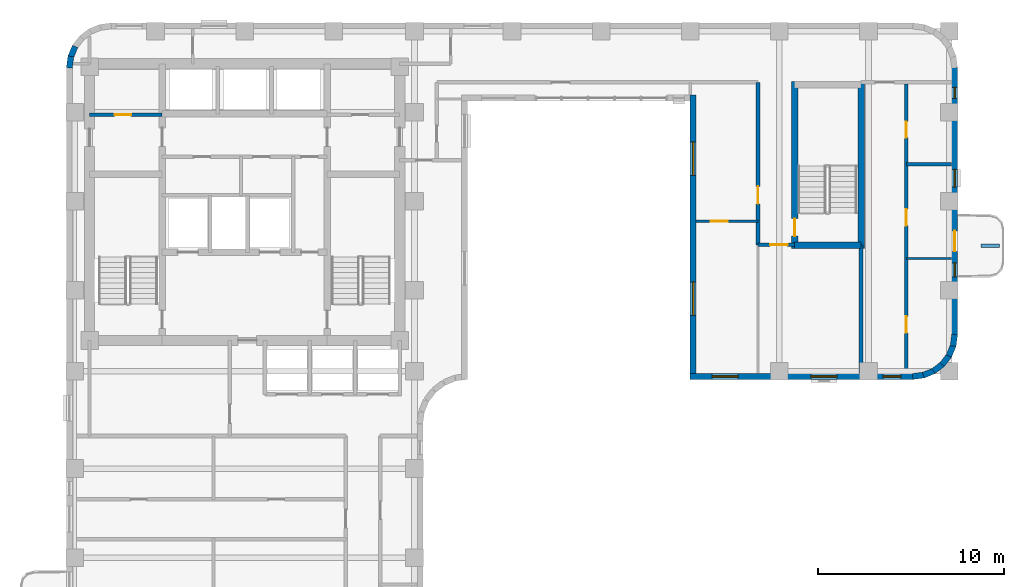
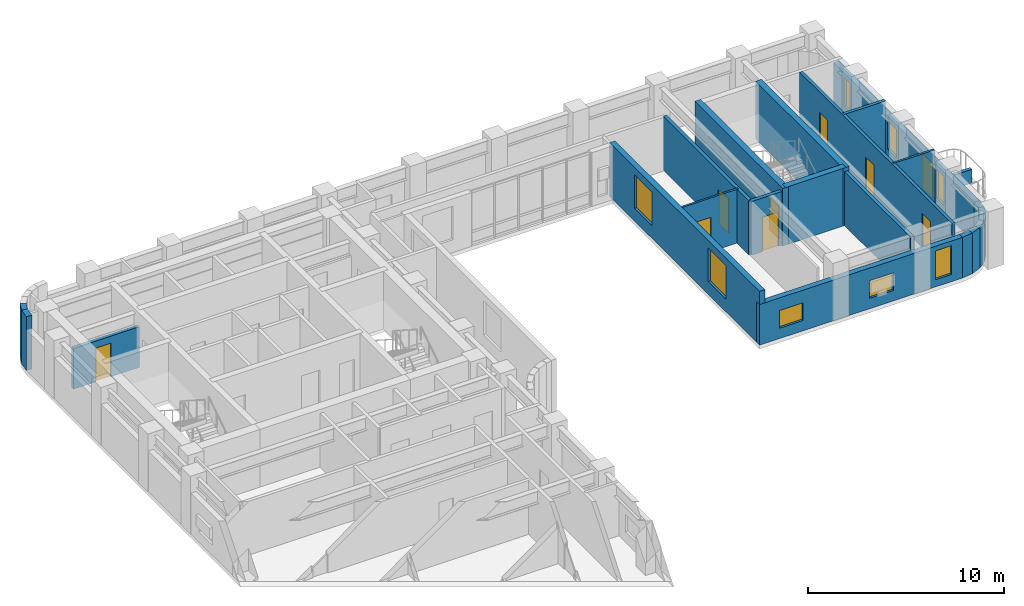
# One storey, part 6 of 11: 23 walls, 9 doors, 8 windows, 17 openings.
"""IFC4 building model written with IfcOpenShell, lengths in metres."""

import ifcopenshell
import ifcopenshell.guid

model = None  # the IFC model being written
_history = None  # IfcOwnerHistory: only IFC2X3 demands one
_inside = {}  # id of a spatial element -> (the spatial element, [elements in it])
_under = {}  # id of a project, library or spatial element -> (it, [spatial elements below it])
_declared = {}  # id of a project -> (the project, [libraries it declares])
_typed = {}  # id of a type object -> (the type object, [elements of that type])
_made_of = {}  # id of a material, layer set ... -> (it, [elements and type objects made of it])


def new_model(schema):
    """Start an empty IFC model of exactly this schema.

    Asked for "IFC4X3", IfcOpenShell would pick the latest addendum, in which some entities
    have other attributes; the version numbers below select the first issue.
    IFC2X3 requires an IfcOwnerHistory on every rooted entity: one is made here for all.
    """
    global model, _history
    if schema == "IFC4X3":
        model = ifcopenshell.file(schema_version=(4, 3, 0, 0))
    else:
        model = ifcopenshell.file(schema=schema)
    _inside.clear()
    _under.clear()
    _declared.clear()
    _typed.clear()
    _made_of.clear()
    _history = None
    if model.schema == "IFC2X3":
        org = make("IfcOrganization", Name="unknown")
        user = make(
            "IfcPersonAndOrganization",
            ThePerson=make("IfcPerson", FamilyName="unknown"),
            TheOrganization=org,
        )
        app = make(
            "IfcApplication",
            ApplicationDeveloper=org,
            Version="unknown",
            ApplicationFullName="unknown",
            ApplicationIdentifier="unknown",
        )
        _history = make(
            "IfcOwnerHistory",
            OwningUser=user,
            OwningApplication=app,
            ChangeAction="ADDED",
            CreationDate=0,
        )
    return model


def make(cls, **values):
    """One entity of the class cls with the attributes given. An attribute that is None is left unset."""
    return model.create_entity(
        cls, **{name: value for name, value in values.items() if value is not None}
    )


def rooted(cls, **values):
    """An entity with a GlobalId (a new one), such as an element, a storey or a relation."""
    return make(cls, GlobalId=ifcopenshell.guid.new(), OwnerHistory=_history, **values)


def si_unit(unit_type, name, prefix=None):
    """IfcSIUnit, for example si_unit("LENGTHUNIT", "METRE", prefix="MILLI")."""
    return make("IfcSIUnit", UnitType=unit_type, Prefix=prefix, Name=name)


def assignment(units):
    """IfcUnitAssignment: the units of a project."""
    return None if units is None else make("IfcUnitAssignment", Units=units)


def point(xyz):
    """IfcCartesianPoint."""
    return None if xyz is None else make("IfcCartesianPoint", Coordinates=xyz)


def direction(xyz):
    """IfcDirection."""
    return None if xyz is None else make("IfcDirection", DirectionRatios=xyz)


def frame(location, z_axis=None, x_axis=None):
    """IfcAxis2Placement3D, a coordinate frame: its origin and axes. An axis left out is left unset."""
    return make(
        "IfcAxis2Placement3D",
        Location=point(location),
        Axis=direction(z_axis),
        RefDirection=direction(x_axis),
    )


def frame_2d(location, x_axis=None):
    """IfcAxis2Placement2D, a coordinate frame in the plane: its origin and x axis."""
    return make(
        "IfcAxis2Placement2D", Location=point(location), RefDirection=direction(x_axis)
    )


def origin():
    """The frame at (0, 0, 0) with its axes left unset."""
    return frame((0.0, 0.0, 0.0))


def place(relative_to, where):
    """IfcLocalPlacement: puts the frame where relative to a parent placement (None: the world)."""
    return make(
        "IfcLocalPlacement", PlacementRelTo=relative_to, RelativePlacement=where
    )


def context(
    kind, dimensions, precision=None, world=None, true_north=None, identifier=None
):
    """IfcGeometricRepresentationContext, for example the 3D "Model" context."""
    return make(
        "IfcGeometricRepresentationContext",
        ContextIdentifier=identifier,
        ContextType=kind,
        CoordinateSpaceDimension=dimensions,
        Precision=precision,
        WorldCoordinateSystem=world,
        TrueNorth=true_north,
    )


def subcontext(parent, identifier, kind, view, scale=None):
    """IfcGeometricRepresentationSubContext, for example "Body" below "Model"."""
    return make(
        "IfcGeometricRepresentationSubContext",
        ContextIdentifier=identifier,
        ContextType=kind,
        ParentContext=parent,
        TargetScale=scale,
        TargetView=view,
    )


def project(units=None, contexts=None):
    """IfcProject with its units and contexts."""
    return rooted(
        "IfcProject",
        Name="project",
        RepresentationContexts=contexts,
        UnitsInContext=assignment(units),
    )


def spatial(cls, under=None, at=None, **own):
    """A site, building, storey or space (cls), placed at a placement, below another one or the project."""
    s = rooted(cls, ObjectPlacement=at, **own)
    if under is not None:
        _under.setdefault(under.id(), (under, []))[1].append(s)
    return s


def profile(cls, at=None, kind="AREA", **sizes):
    """A parametric profile (cls). Its sizes go by their IFC names, for example OverallWidth=200.0."""
    return make(cls, ProfileType=kind, Position=at, **sizes)


def rectangle(**sizes):
    """IfcRectangleProfileDef."""
    return profile("IfcRectangleProfileDef", **sizes)


def extrude(swept, where, along, depth):
    """IfcExtrudedAreaSolid: the profile swept, set in the frame where, extruded along a direction by depth."""
    return make(
        "IfcExtrudedAreaSolid",
        SweptArea=swept,
        Position=where,
        ExtrudedDirection=direction(along),
        Depth=depth,
    )


def shape(context_of_items, identifier, shape_type, items):
    """IfcShapeRepresentation: the items that make up one representation, for example the "Body"."""
    return make(
        "IfcShapeRepresentation",
        ContextOfItems=context_of_items,
        RepresentationIdentifier=identifier,
        RepresentationType=shape_type,
        Items=items,
    )


def material(Name=None, Category=None):
    """IfcMaterial."""
    return make("IfcMaterial", Name=Name, Category=Category)


def layer(
    of_material, thickness, ventilated=None, Name=None, Category=None, Priority=None
):
    """IfcMaterialLayer: one layer of a wall or slab, of a material (None: an air gap)."""
    return make(
        "IfcMaterialLayer",
        Material=of_material,
        LayerThickness=thickness,
        IsVentilated=ventilated,
        Name=Name,
        Category=Category,
        Priority=Priority,
    )


def layer_set(layers, Name=None):
    """IfcMaterialLayerSet."""
    return make("IfcMaterialLayerSet", MaterialLayers=layers, LayerSetName=Name)


def made_of(thing, what):
    """Note that an element or type object is made of a material, layer set ...; save() writes the relation."""
    if what is not None:
        _made_of.setdefault(what.id(), (what, []))[1].append(thing)
    return thing


def type_object(cls, material=None, **own):
    """A type object (cls), such as IfcWallType, which elements share."""
    return made_of(rooted(cls, **own), material)


def element(
    cls,
    number,
    at=None,
    inside=None,
    cuts=None,
    type_object=None,
    material=None,
    context=None,
    identifier="Body",
    shape_type=None,
    held_by="IfcProductDefinitionShape",
    body=None,
    shapes=None,
    **own,
):
    """One element of the class cls, such as IfcWall. Its Tag is "e" and its number.

    at: its placement. inside: the storey or other place that contains it. cuts: it is an
    opening in that element (IfcRelVoidsElement). A single representation is given by context,
    identifier, shape_type and body (its items); several are given by shapes. held_by: the class
    of the entity that holds the representations. save() writes the other relations.
    """
    e = rooted(cls, Tag="e%d" % number, ObjectPlacement=at, **own)
    if body is not None:
        shapes = [shape(context, identifier, shape_type, body)]
    if shapes is not None:
        e.Representation = make(held_by, Representations=shapes)
    if inside is not None:
        _inside.setdefault(inside.id(), (inside, []))[1].append(e)
    if cuts is not None:
        rooted(
            "IfcRelVoidsElement", RelatingBuildingElement=cuts, RelatedOpeningElement=e
        )
    if type_object is not None:
        _typed.setdefault(type_object.id(), (type_object, []))[1].append(e)
    return made_of(e, material)


def fill(opening, filler):
    """IfcRelFillsElement: the door or window that sits in an opening."""
    return rooted(
        "IfcRelFillsElement",
        RelatingOpeningElement=opening,
        RelatedBuildingElement=filler,
    )


def aggregate(whole, parts):
    """IfcRelAggregates: a whole, such as a stair, and the parts it consists of."""
    return rooted("IfcRelAggregates", RelatingObject=whole, RelatedObjects=parts)


def save(model, path):
    """Write the relations noted so far, then the file.

    IfcRelAggregates (storeys below a building ...), IfcRelContainedInSpatialStructure (elements
    in a storey), IfcRelDefinesByType, IfcRelAssociatesMaterial and IfcRelDeclares: one each for
    every whole, place, type object, material and project.
    """
    for whole, parts in _under.values():
        aggregate(whole, parts)
    for where, things in _inside.values():
        rooted(
            "IfcRelContainedInSpatialStructure",
            RelatedElements=things,
            RelatingStructure=where,
        )
    for kind, things in _typed.values():
        rooted("IfcRelDefinesByType", RelatedObjects=things, RelatingType=kind)
    for what, things in _made_of.values():
        rooted("IfcRelAssociatesMaterial", RelatedObjects=things, RelatingMaterial=what)
    for by, libraries in _declared.values():
        rooted("IfcRelDeclares", RelatingContext=by, RelatedDefinitions=libraries)
    model.write(path)


model = new_model("IFC4")

# Units and contexts
model_context = context("Model", 3, precision=1e-05, world=origin(), true_north=direction((0.0, 1.0)))
body_context = subcontext(model_context, "Body", "Model", "MODEL_VIEW")
ifc_project = project(units=[si_unit("LENGTHUNIT", "METRE"), si_unit("AREAUNIT", "SQUARE_METRE"), si_unit("VOLUMEUNIT", "CUBIC_METRE"), si_unit("PLANEANGLEUNIT", "RADIAN"), si_unit("MASSUNIT", "GRAM", prefix="KILO")], contexts=[model_context])

# Site, building, storey
site_placement = place(None, origin())
site = spatial("IfcSite", under=ifc_project, at=site_placement, CompositionType="ELEMENT")
building_placement = place(site_placement, origin())
building = spatial("IfcBuilding", under=site, at=building_placement, Name="Orvandelia Arch Residences", CompositionType="ELEMENT")
storey_placement = place(building_placement, frame((0.0, 0.0, 161.199951171875)))
storey = spatial("IfcBuildingStorey", under=building, at=storey_placement, Name="L42", CompositionType="ELEMENT", Elevation=161.199951171875)

# Wall, opening, door
ifc_material_1 = material(Name="Concrete C50/60", Category="concrete")
ifc_layer_1 = layer(ifc_material_1, 0.35009765625, Name="Concrete C50/60", Category="concrete")
ifc_layer_set_1 = layer_set([ifc_layer_1], Name="Concrete C50/60")
wall_type_1 = type_object("IfcWallType", Name="WL-CORE-350", PredefinedType="SHEAR", material=ifc_layer_set_1)
wall_1_placement = place(storey_placement, frame((44.02001953125, 35.864990234375, 0.0), z_axis=(0.0, 0.0, 1.0), x_axis=(0.0, 1.0, 0.0)))
wall_1 = element("IfcWall", 1, at=wall_1_placement, inside=storey, type_object=wall_type_1, Name="East Stair Core Shear Wall L42-W", PredefinedType="SHEAR", context=body_context, shape_type="SweptSolid", body=[
    extrude(rectangle(XDim=8.969970703125, YDim=0.35009765625, at=frame_2d((4.48486328125, 0.0))), origin(), (0.0, 0.0, 1.0), 3.60009765625),
])
opening_1_placement = place(wall_1_placement, frame((0.64990234375, 0.0, 0.0)))
opening_1 = element("IfcOpeningElement", 2, at=opening_1_placement, cuts=wall_1, Name="Opening D7", PredefinedType="OPENING", context=body_context, shape_type="SweptSolid", body=[
    extrude(rectangle(XDim=0.949951171875, YDim=2.10009765625, at=frame_2d((0.47509765625, 1.050048828125))), frame((0.0, 0.18505859375, 0.0), z_axis=(0.0, -1.0, 0.0), x_axis=(1.0, 0.0, 0.0)), (0.0, 0.0, 1.0), 0.3701171875),
])
ifc_material_2 = material(Name="Pressurised Stairwell Fire Door")
door_type_1 = type_object("IfcDoorType", Name="DR-STAIR-950", OperationType="NOTDEFINED", PredefinedType="DOOR", material=ifc_material_2)
door_1_placement = place(opening_1_placement, origin())
door_1 = element("IfcDoor", 3, at=door_1_placement, inside=storey, type_object=door_type_1, Name="East Stairwell ST-3 Fire Door L42", OperationType="SINGLE_SWING_LEFT", OverallHeight=2.10009765625, OverallWidth=0.949951171875, PredefinedType="DOOR", context=body_context, shape_type="SweptSolid", body=[
    extrude(rectangle(XDim=0.949951171875, YDim=2.10009765625, at=frame_2d((0.47509765625, 1.050048828125))), frame((0.0, 0.02490234375, 0.0), z_axis=(0.0, -1.0, 0.0), x_axis=(1.0, 0.0, 0.0)), (0.0, 0.0, 1.0), 0.050048828125),
])
fill(opening_1, door_1)

# Walls
wall_2_placement = place(storey_placement, frame((47.60009765625, 35.864990234375, 0.0), z_axis=(0.0, 0.0, 1.0), x_axis=(0.0, 1.0, 0.0)))
element("IfcWall", 4, at=wall_2_placement, inside=storey, type_object=wall_type_1, Name="East Stair Core Shear Wall L42-E", PredefinedType="SHEAR", context=body_context, shape_type="SweptSolid", body=[
    extrude(rectangle(XDim=8.969970703125, YDim=0.35009765625, at=frame_2d((4.48486328125, 0.0))), origin(), (0.0, 0.0, 1.0), 3.60009765625),
])
wall_3_placement = place(storey_placement, frame((44.02001953125, 36.0400390625, 0.0), z_axis=(0.0, 0.0, 1.0), x_axis=(1.0, 0.0, 0.0)))
element("IfcWall", 5, at=wall_3_placement, inside=storey, type_object=wall_type_1, Name="East Stair Core Shear Wall L42-S", PredefinedType="SHEAR", context=body_context, shape_type="SweptSolid", body=[
    extrude(rectangle(XDim=3.580078125, YDim=0.35009765625, at=frame_2d((1.7900390625, 0.0))), origin(), (0.0, 0.0, 1.0), 3.60009765625),
])

# Wall, opening, door
ifc_material_3 = material(Name="Fire-Rated Corridor Partition")
ifc_layer_2 = layer(ifc_material_3, 0.199951171875, Name="Fire-Rated Corridor Partition")
ifc_layer_set_2 = layer_set([ifc_layer_2], Name="Fire-Rated Corridor Partition")
wall_type_2 = type_object("IfcWallType", Name="WL-CORR-200", PredefinedType="PARTITIONING", material=ifc_layer_set_2)
wall_4_placement = place(storey_placement, frame((42.050048828125, 36.050048828125, 0.0), z_axis=(0.0, 0.0, 1.0), x_axis=(0.0, 1.0, 0.0)))
wall_4 = element("IfcWall", 6, at=wall_4_placement, inside=storey, type_object=wall_type_2, Name="Interior Partition Wall WL-L42-ENP-SW", PredefinedType="PARTITIONING", context=body_context, shape_type="SweptSolid", body=[
    extrude(rectangle(XDim=8.75, YDim=0.199951171875, at=frame_2d((4.375, 0.0))), origin(), (0.0, 0.0, 1.0), 3.360107421875),
])
opening_2_placement = place(wall_4_placement, frame((2.199951171875, 0.0, 0.0)))
opening_2 = element("IfcOpeningElement", 7, at=opening_2_placement, cuts=wall_4, Name="Opening D2", PredefinedType="OPENING", context=body_context, shape_type="SweptSolid", body=[
    extrude(rectangle(XDim=0.949951171875, YDim=2.14990234375, at=frame_2d((0.47509765625, 1.074951171875))), frame((0.0, 0.10986328125, 0.0), z_axis=(0.0, -1.0, 0.0), x_axis=(1.0, 0.0, 0.0)), (0.0, 0.0, 1.0), 0.219970703125),
])
ifc_material_4 = material(Name="Solid-Core Timber Interior Fire Door", Category="wood")
door_type_2 = type_object("IfcDoorType", Name="DR-APT-950", OperationType="NOTDEFINED", PredefinedType="DOOR", material=ifc_material_4)
door_2_placement = place(opening_2_placement, origin())
door_2 = element("IfcDoor", 8, at=door_2_placement, inside=storey, type_object=door_type_2, Name="DR-L42-VPE1", OperationType="SINGLE_SWING_LEFT", OverallHeight=2.14990234375, OverallWidth=0.949951171875, PredefinedType="DOOR", context=body_context, shape_type="SweptSolid", body=[
    extrude(rectangle(XDim=0.949951171875, YDim=2.14990234375, at=frame_2d((0.47509765625, 1.074951171875))), frame((0.0, 0.02490234375, 0.0), z_axis=(0.0, -1.0, 0.0), x_axis=(1.0, 0.0, 0.0)), (0.0, 0.0, 1.0), 0.050048828125),
])
fill(opening_2, door_2)

wall_5_placement = place(storey_placement, frame((42.050048828125, 36.050048828125, 0.0), z_axis=(0.0, 0.0, 1.0), x_axis=(1.0, 0.0, 0.0)))
wall_5 = element("IfcWall", 9, at=wall_5_placement, inside=storey, type_object=wall_type_2, Name="Interior Partition Wall WL-L42-ENP-SS", PredefinedType="PARTITIONING", context=body_context, shape_type="SweptSolid", body=[
    extrude(rectangle(XDim=1.969970703125, YDim=0.199951171875, at=frame_2d((0.98486328125, 0.0))), origin(), (0.0, 0.0, 1.0), 3.360107421875),
])
opening_3_placement = place(wall_5_placement, frame((0.64990234375, 0.0, 0.0)))
opening_3 = element("IfcOpeningElement", 10, at=opening_3_placement, cuts=wall_5, Name="Opening D2", PredefinedType="OPENING", context=body_context, shape_type="SweptSolid", body=[
    extrude(rectangle(XDim=0.949951171875, YDim=2.14990234375, at=frame_2d((0.47509765625, 1.074951171875))), frame((0.0, 0.10986328125, 0.0), z_axis=(0.0, -1.0, 0.0), x_axis=(1.0, 0.0, 0.0)), (0.0, 0.0, 1.0), 0.219970703125),
])
door_3_placement = place(opening_3_placement, origin())
door_3 = element("IfcDoor", 11, at=door_3_placement, inside=storey, type_object=door_type_2, Name="DR-L42-VPS3", OperationType="SINGLE_SWING_LEFT", OverallHeight=2.14990234375, OverallWidth=0.949951171875, PredefinedType="DOOR", context=body_context, shape_type="SweptSolid", body=[
    extrude(rectangle(XDim=0.949951171875, YDim=2.14990234375, at=frame_2d((0.47509765625, 1.074951171875))), frame((0.0, 0.02490234375, 0.0), z_axis=(0.0, -1.0, 0.0), x_axis=(1.0, 0.0, 0.0)), (0.0, 0.0, 1.0), 0.050048828125),
])
fill(opening_3, door_3)

# Walls
ifc_material_5 = material(Name="Concrete C40/50", Category="concrete")
ifc_layer_3 = layer(ifc_material_5, 0.199951171875, Name="Concrete C40/50", Category="concrete")
ifc_layer_set_3 = layer_set([ifc_layer_3], Name="Concrete C40/50")
wall_type_3 = type_object("IfcWallType", Name="WL-DEM-200", PredefinedType="SOLIDWALL", material=ifc_layer_set_3)
wall_6_placement = place(storey_placement, frame((47.60009765625, 29.1201171875, 0.0), z_axis=(0.0, 0.0, 1.0), x_axis=(0.0, 1.0, 0.0)))
element("IfcWall", 12, at=wall_6_placement, inside=storey, type_object=wall_type_3, Name="Interior Partition Wall WL-L42-VPS3-E", PredefinedType="SOLIDWALL", context=body_context, shape_type="SweptSolid", body=[
    extrude(rectangle(XDim=6.919921875, YDim=0.199951171875, at=frame_2d((3.4599609375, 0.0))), origin(), (0.0, 0.0, 1.0), 3.360107421875),
])
ifc_material_6 = material(Name="Precast concrete C40/50", Category="concrete")
ifc_layer_4 = layer(ifc_material_6, 0.320068359375, Name="Precast concrete C40/50", Category="concrete")
ifc_layer_set_4 = layer_set([ifc_layer_4], Name="Precast concrete C40/50")
wall_type_4 = type_object("IfcWallType", Name="WL-EXT-STONE-320", PredefinedType="STANDARD", material=ifc_layer_set_4)
for number, where, z_axis, x_axis, name in (
    (13, (4.95849609375, 45.5791015625, 0.0), (0.0, 0.0, 1.0), (0.130555323746, 0.9914410257, 0.0), "Coral-Limestone Precast Facade Wall L42-001"),
    (14, (5.029541015625, 46.159912109375, 0.0), (0.0, 0.0, 1.0), (0.382650053678, 0.92389335771, 0.0), "Coral-Limestone Precast Facade Wall L42-002"),
):
    element("IfcWall", number, at=place(storey_placement, frame(where, z_axis=z_axis, x_axis=x_axis)), inside=storey, type_object=wall_type_4, Name=name, PredefinedType="STANDARD", context=body_context, shape_type="SweptSolid", body=[
        extrude(rectangle(XDim=0.62646484375, YDim=0.320068359375, at=frame_2d((0.313232421875, 0.0))), origin(), (0.0, 0.0, 1.0), 3.360107421875),
    ])

# Wall, openings, door, windows
wall_7_placement = place(storey_placement, frame((52.639892578125, 45.60009765625, 0.0), z_axis=(0.0, 0.0, 1.0), x_axis=(0.0, -1.0, 0.0)))
wall_7 = element("IfcWall", 15, at=wall_7_placement, inside=storey, type_object=wall_type_4, Name="Coral-Limestone Precast Facade Wall L42-014", PredefinedType="STANDARD", context=body_context, shape_type="SweptSolid", body=[
    extrude(rectangle(XDim=14.400146484375, YDim=0.320068359375, at=frame_2d((7.2001953125, 0.0))), origin(), (0.0, 0.0, 1.0), 2.5400390625),
])
opening_4_placement = place(wall_7_placement, frame((8.800048828125, 0.0, 0.0)))
opening_4 = element("IfcOpeningElement", 16, at=opening_4_placement, cuts=wall_7, Name="Opening BD1", PredefinedType="OPENING", context=body_context, shape_type="SweptSolid", body=[
    extrude(rectangle(XDim=1.10009765625, YDim=2.14990234375, at=frame_2d((0.550048828125, 1.074951171875))), frame((0.0, 0.169921875, 0.0), z_axis=(0.0, -1.0, 0.0), x_axis=(1.0, 0.0, 0.0)), (0.0, 0.0, 1.0), 0.340087890625),
])
opening_5_placement = place(wall_7_placement, frame((10.51953125, 0.0, 0.449951171875)))
opening_5 = element("IfcOpeningElement", 17, at=opening_5_placement, cuts=wall_7, Name="Opening W11", PredefinedType="OPENING", context=body_context, shape_type="SweptSolid", body=[
    extrude(rectangle(XDim=0.75, YDim=1.800048828125, at=frame_2d((0.375, 0.89990234375))), frame((0.0, 0.169921875, 0.0), z_axis=(0.0, -1.0, 0.0), x_axis=(1.0, 0.0, 0.0)), (0.0, 0.0, 1.0), 0.340087890625),
])
opening_6_placement = place(wall_7_placement, frame((1.0625, 0.0, 0.449951171875)))
opening_6 = element("IfcOpeningElement", 18, at=opening_6_placement, cuts=wall_7, Name="Opening W12", PredefinedType="OPENING", context=body_context, shape_type="SweptSolid", body=[
    extrude(rectangle(XDim=0.60009765625, YDim=1.800048828125, at=frame_2d((0.300048828125, 0.89990234375))), frame((0.0, 0.169921875, 0.0), z_axis=(0.0, -1.0, 0.0), x_axis=(1.0, 0.0, 0.0)), (0.0, 0.0, 1.0), 0.340087890625),
])
opening_7_placement = place(wall_7_placement, frame((5.486083984375, 0.0, 0.449951171875)))
opening_7 = element("IfcOpeningElement", 19, at=opening_7_placement, cuts=wall_7, Name="Opening W4", PredefinedType="OPENING", context=body_context, shape_type="SweptSolid", body=[
    extrude(rectangle(XDim=0.949951171875, YDim=1.800048828125, at=frame_2d((0.47509765625, 0.89990234375))), frame((0.0, 0.169921875, 0.0), z_axis=(0.0, -1.0, 0.0), x_axis=(1.0, 0.0, 0.0)), (0.0, 0.0, 1.0), 0.340087890625),
])
ifc_material_7 = material(Name="Thermally Broken Aluminium Glazed Door", Category="aluminium")
door_type_3 = type_object("IfcDoorType", Name="DR-BAL-GLAZ-1100", OperationType="NOTDEFINED", PredefinedType="DOOR", material=ifc_material_7)
door_4_placement = place(opening_4_placement, origin())
door_4 = element("IfcDoor", 20, at=door_4_placement, inside=storey, type_object=door_type_3, Name="Tree Balcony Glazed Door BAL-L42-E1", OperationType="SINGLE_SWING_LEFT", OverallHeight=2.14990234375, OverallWidth=1.10009765625, PredefinedType="DOOR", context=body_context, shape_type="SweptSolid", body=[
    extrude(rectangle(XDim=1.10009765625, YDim=2.14990234375, at=frame_2d((0.550048828125, 1.074951171875))), frame((0.0, 0.02490234375, 0.0), z_axis=(0.0, -1.0, 0.0), x_axis=(1.0, 0.0, 0.0)), (0.0, 0.0, 1.0), 0.050048828125),
])
fill(opening_4, door_4)
ifc_material_8 = material(Name="Tempered Low-E Insulated Glazing", Category="glass")
window_type_1 = type_object("IfcWindowType", Name="WIN-BED-0750x1800", PartitioningType="SINGLE_PANEL", PredefinedType="WINDOW", material=ifc_material_8)
window_1_placement = place(opening_5_placement, origin())
window_1 = element("IfcWindow", 21, at=window_1_placement, inside=storey, type_object=window_type_1, Name="Recessed Punched Window L42-004", OverallHeight=1.800048828125, OverallWidth=0.75, PartitioningType="SINGLE_PANEL", PredefinedType="WINDOW", context=body_context, shape_type="SweptSolid", body=[
    extrude(rectangle(XDim=0.75, YDim=1.800048828125, at=frame_2d((0.375, 0.89990234375))), frame((0.0, 0.030029296875, 0.0), z_axis=(0.0, -1.0, 0.0), x_axis=(1.0, 0.0, 0.0)), (0.0, 0.0, 1.0), 0.06005859375),
])
fill(opening_5, window_1)
window_type_2 = type_object("IfcWindowType", Name="WIN-LAN-0600x1800", PartitioningType="SINGLE_PANEL", PredefinedType="WINDOW", material=ifc_material_8)
window_2_placement = place(opening_6_placement, origin())
window_2 = element("IfcWindow", 22, at=window_2_placement, inside=storey, type_object=window_type_2, Name="Recessed Punched Window L42-005", OverallHeight=1.800048828125, OverallWidth=0.60009765625, PartitioningType="SINGLE_PANEL", PredefinedType="WINDOW", context=body_context, shape_type="SweptSolid", body=[
    extrude(rectangle(XDim=0.60009765625, YDim=1.800048828125, at=frame_2d((0.300048828125, 0.89990234375))), frame((0.0, 0.030029296875, 0.0), z_axis=(0.0, -1.0, 0.0), x_axis=(1.0, 0.0, 0.0)), (0.0, 0.0, 1.0), 0.06005859375),
])
fill(opening_6, window_2)
window_type_3 = type_object("IfcWindowType", Name="WIN-RES-0950x1800", PartitioningType="SINGLE_PANEL", PredefinedType="WINDOW", material=ifc_material_8)
window_3_placement = place(opening_7_placement, origin())
window_3 = element("IfcWindow", 23, at=window_3_placement, inside=storey, type_object=window_type_3, Name="Recessed Punched Window L42-006", OverallHeight=1.800048828125, OverallWidth=0.949951171875, PartitioningType="SINGLE_PANEL", PredefinedType="WINDOW", context=body_context, shape_type="SweptSolid", body=[
    extrude(rectangle(XDim=0.949951171875, YDim=1.800048828125, at=frame_2d((0.47509765625, 0.89990234375))), frame((0.0, 0.030029296875, 0.0), z_axis=(0.0, -1.0, 0.0), x_axis=(1.0, 0.0, 0.0)), (0.0, 0.0, 1.0), 0.06005859375),
])
fill(opening_7, window_3)

# Walls
wall_8_placement = place(storey_placement, frame((52.641357421875, 31.220947265625, 0.0), z_axis=(0.0, 0.0, 1.0), x_axis=(-0.130504898859, -0.991447664465, 0.0)))
element("IfcWall", 24, at=wall_8_placement, inside=storey, type_object=wall_type_4, Name="Coral-Limestone Precast Facade Wall L42-015", PredefinedType="STANDARD", context=body_context, shape_type="SweptSolid", body=[
    extrude(rectangle(XDim=0.626708984375, YDim=0.320068359375, at=frame_2d((0.3134765625, 0.0))), origin(), (0.0, 0.0, 1.0), 2.5400390625),
])
wall_9_placement = place(storey_placement, frame((52.5703125, 30.639892578125, 0.0), z_axis=(0.0, 0.0, 1.0), x_axis=(-0.382455093999, -0.923974080304, 0.0)))
element("IfcWall", 25, at=wall_9_placement, inside=storey, type_object=wall_type_4, Name="Coral-Limestone Precast Facade Wall L42-016", PredefinedType="STANDARD", context=body_context, shape_type="SweptSolid", body=[
    extrude(rectangle(XDim=0.626220703125, YDim=0.320068359375, at=frame_2d((0.31298828125, 0.0))), origin(), (0.0, 0.0, 1.0), 2.5400390625),
])
wall_10_placement = place(storey_placement, frame((52.3515625, 30.097412109375, 0.0), z_axis=(0.0, 0.0, 1.0), x_axis=(-0.608693302629, -0.793405610854, 0.0)))
element("IfcWall", 26, at=wall_10_placement, inside=storey, type_object=wall_type_4, Name="Coral-Limestone Precast Facade Wall L42-017", PredefinedType="STANDARD", context=body_context, shape_type="SweptSolid", body=[
    extrude(rectangle(XDim=0.62646484375, YDim=0.320068359375, at=frame_2d((0.313232421875, 0.0))), origin(), (0.0, 0.0, 1.0), 2.5400390625),
])
wall_11_placement = place(storey_placement, frame((51.999755859375, 29.6298828125, 0.0), z_axis=(0.0, 0.0, 1.0), x_axis=(-0.7932174212, -0.608938521285, 0.0)))
element("IfcWall", 27, at=wall_11_placement, inside=storey, type_object=wall_type_4, Name="Coral-Limestone Precast Facade Wall L42-018", PredefinedType="STANDARD", context=body_context, shape_type="SweptSolid", body=[
    extrude(rectangle(XDim=0.626708984375, YDim=0.320068359375, at=frame_2d((0.3134765625, 0.0))), origin(), (0.0, 0.0, 1.0), 2.5400390625),
])
for number, where, z_axis, x_axis, name in (
    (28, (51.538818359375, 29.269287109375, 0.0), (0.0, 0.0, 1.0), (-0.92389335771, -0.382650053678, 0.0), "Coral-Limestone Precast Facade Wall L42-019"),
    (29, (51.000244140625, 29.040283203125, 0.0), (0.0, 0.0, 1.0), (-0.9914410257, -0.130555323746, 0.0), "Coral-Limestone Precast Facade Wall L42-020"),
):
    element("IfcWall", number, at=place(storey_placement, frame(where, z_axis=z_axis, x_axis=x_axis)), inside=storey, type_object=wall_type_4, Name=name, PredefinedType="STANDARD", context=body_context, shape_type="SweptSolid", body=[
        extrude(rectangle(XDim=0.62646484375, YDim=0.320068359375, at=frame_2d((0.313232421875, 0.0))), origin(), (0.0, 0.0, 1.0), 2.5400390625),
    ])

# Wall, openings, windows
wall_12_placement = place(storey_placement, frame((50.39990234375, 28.9599609375, 0.0), z_axis=(0.0, 0.0, 1.0), x_axis=(-1.0, 0.0, 0.0)))
wall_12 = element("IfcWall", 30, at=wall_12_placement, inside=storey, type_object=wall_type_4, Name="Coral-Limestone Precast Facade Wall L42-021", PredefinedType="STANDARD", context=body_context, shape_type="SweptSolid", body=[
    extrude(rectangle(XDim=12.0, YDim=0.320068359375, at=frame_2d((6.0, 0.0))), origin(), (0.0, 0.0, 1.0), 2.5400390625),
])
opening_8_placement = place(wall_12_placement, frame((0.656005859375, 0.0, 0.449951171875)))
opening_8 = element("IfcOpeningElement", 31, at=opening_8_placement, cuts=wall_12, Name="Opening W4", PredefinedType="OPENING", context=body_context, shape_type="SweptSolid", body=[
    extrude(rectangle(XDim=0.949951171875, YDim=1.800048828125, at=frame_2d((0.47509765625, 0.89990234375))), frame((0.0, 0.169921875, 0.0), z_axis=(0.0, -1.0, 0.0), x_axis=(1.0, 0.0, 0.0)), (0.0, 0.0, 1.0), 0.340087890625),
])
opening_9_placement = place(wall_12_placement, frame((9.425048828125, 0.0, 0.64990234375)))
opening_9 = element("IfcOpeningElement", 32, at=opening_9_placement, cuts=wall_12, Name="Opening W10", PredefinedType="OPENING", context=body_context, shape_type="SweptSolid", body=[
    extrude(rectangle(XDim=1.39990234375, YDim=1.10009765625, at=frame_2d((0.699951171875, 0.550048828125))), frame((0.0, 0.169921875, 0.0), z_axis=(0.0, -1.0, 0.0), x_axis=(1.0, 0.0, 0.0)), (0.0, 0.0, 1.0), 0.340087890625),
])
opening_10_placement = place(wall_12_placement, frame((4.10009765625, 0.0, 0.64990234375)))
opening_10 = element("IfcOpeningElement", 33, at=opening_10_placement, cuts=wall_12, Name="Opening W10", PredefinedType="OPENING", context=body_context, shape_type="SweptSolid", body=[
    extrude(rectangle(XDim=1.39990234375, YDim=1.10009765625, at=frame_2d((0.699951171875, 0.550048828125))), frame((0.0, 0.169921875, 0.0), z_axis=(0.0, -1.0, 0.0), x_axis=(1.0, 0.0, 0.0)), (0.0, 0.0, 1.0), 0.340087890625),
])
window_type_4 = type_object("IfcWindowType", Name="WIN-CLR-1400x1100", PartitioningType="SINGLE_PANEL", PredefinedType="WINDOW", material=ifc_material_8)
window_4_placement = place(opening_9_placement, origin())
window_4 = element("IfcWindow", 34, at=window_4_placement, inside=storey, type_object=window_type_4, Name="Recessed Punched Window L42-008", OverallHeight=1.10009765625, OverallWidth=1.39990234375, PartitioningType="SINGLE_PANEL", PredefinedType="WINDOW", context=body_context, shape_type="SweptSolid", body=[
    extrude(rectangle(XDim=1.39990234375, YDim=1.10009765625, at=frame_2d((0.699951171875, 0.550048828125))), frame((0.0, 0.030029296875, 0.0), z_axis=(0.0, -1.0, 0.0), x_axis=(1.0, 0.0, 0.0)), (0.0, 0.0, 1.0), 0.06005859375),
])
fill(opening_9, window_4)
window_5_placement = place(opening_10_placement, origin())
window_5 = element("IfcWindow", 35, at=window_5_placement, inside=storey, type_object=window_type_4, Name="Recessed Punched Window L42-009", OverallHeight=1.10009765625, OverallWidth=1.39990234375, PartitioningType="SINGLE_PANEL", PredefinedType="WINDOW", context=body_context, shape_type="SweptSolid", body=[
    extrude(rectangle(XDim=1.39990234375, YDim=1.10009765625, at=frame_2d((0.699951171875, 0.550048828125))), frame((0.0, 0.030029296875, 0.0), z_axis=(0.0, -1.0, 0.0), x_axis=(1.0, 0.0, 0.0)), (0.0, 0.0, 1.0), 0.06005859375),
])
fill(opening_10, window_5)
window_6_placement = place(opening_8_placement, origin())
window_6 = element("IfcWindow", 36, at=window_6_placement, inside=storey, type_object=window_type_3, Name="Recessed Punched Window L42-007", OverallHeight=1.800048828125, OverallWidth=0.949951171875, PartitioningType="SINGLE_PANEL", PredefinedType="WINDOW", context=body_context, shape_type="SweptSolid", body=[
    extrude(rectangle(XDim=0.949951171875, YDim=1.800048828125, at=frame_2d((0.47509765625, 0.89990234375))), frame((0.0, 0.030029296875, 0.0), z_axis=(0.0, -1.0, 0.0), x_axis=(1.0, 0.0, 0.0)), (0.0, 0.0, 1.0), 0.06005859375),
])
fill(opening_8, window_6)

wall_13_placement = place(storey_placement, frame((38.56005859375, 28.800048828125, 0.0), z_axis=(0.0, 0.0, 1.0), x_axis=(0.0, 1.0, 0.0)))
wall_13 = element("IfcWall", 37, at=wall_13_placement, inside=storey, type_object=wall_type_4, Name="Coral-Limestone Precast Facade Wall L42-022", PredefinedType="STANDARD", context=body_context, shape_type="SweptSolid", body=[
    extrude(rectangle(XDim=15.320068359375, YDim=0.320068359375, at=frame_2d((7.66015625, 0.0))), origin(), (0.0, 0.0, 1.0), 3.360107421875),
])
opening_11_placement = place(wall_13_placement, frame((10.989990234375, 0.0, 0.800048828125)))
opening_11 = element("IfcOpeningElement", 38, at=opening_11_placement, cuts=wall_13, Name="Opening W1", PredefinedType="OPENING", context=body_context, shape_type="SweptSolid", body=[
    extrude(rectangle(XDim=1.800048828125, YDim=2.10009765625, at=frame_2d((0.89990234375, 1.050048828125))), frame((0.0, 0.169921875, 0.0), z_axis=(0.0, -1.0, 0.0), x_axis=(1.0, 0.0, 0.0)), (0.0, 0.0, 1.0), 0.340087890625),
])
opening_12_placement = place(wall_13_placement, frame((3.449951171875, 0.0, 0.800048828125)))
opening_12 = element("IfcOpeningElement", 39, at=opening_12_placement, cuts=wall_13, Name="Opening W1", PredefinedType="OPENING", context=body_context, shape_type="SweptSolid", body=[
    extrude(rectangle(XDim=1.800048828125, YDim=2.10009765625, at=frame_2d((0.89990234375, 1.050048828125))), frame((0.0, 0.169921875, 0.0), z_axis=(0.0, -1.0, 0.0), x_axis=(1.0, 0.0, 0.0)), (0.0, 0.0, 1.0), 0.340087890625),
])
window_type_5 = type_object("IfcWindowType", Name="WIN-RES-1800x2100", PartitioningType="SINGLE_PANEL", PredefinedType="WINDOW", material=ifc_material_8)
window_7_placement = place(opening_11_placement, origin())
window_7 = element("IfcWindow", 40, at=window_7_placement, inside=storey, type_object=window_type_5, Name="Recessed Punched Window L42-010", OverallHeight=2.10009765625, OverallWidth=1.800048828125, PartitioningType="SINGLE_PANEL", PredefinedType="WINDOW", context=body_context, shape_type="SweptSolid", body=[
    extrude(rectangle(XDim=1.800048828125, YDim=2.10009765625, at=frame_2d((0.89990234375, 1.050048828125))), frame((0.0, 0.030029296875, 0.0), z_axis=(0.0, -1.0, 0.0), x_axis=(1.0, 0.0, 0.0)), (0.0, 0.0, 1.0), 0.06005859375),
])
fill(opening_11, window_7)
window_8_placement = place(opening_12_placement, origin())
window_8 = element("IfcWindow", 41, at=window_8_placement, inside=storey, type_object=window_type_5, Name="Recessed Punched Window L42-011", OverallHeight=2.10009765625, OverallWidth=1.800048828125, PartitioningType="SINGLE_PANEL", PredefinedType="WINDOW", context=body_context, shape_type="SweptSolid", body=[
    extrude(rectangle(XDim=1.800048828125, YDim=2.10009765625, at=frame_2d((0.89990234375, 1.050048828125))), frame((0.0, 0.030029296875, 0.0), z_axis=(0.0, -1.0, 0.0), x_axis=(1.0, 0.0, 0.0)), (0.0, 0.0, 1.0), 0.06005859375),
])
fill(opening_12, window_8)

# Wall, opening, door
ifc_material_9 = material(Name="Lightweight Gypsum Stud Partition")
ifc_layer_5 = layer(ifc_material_9, 0.1201171875, Name="Lightweight Gypsum Stud Partition")
ifc_layer_set_5 = layer_set([ifc_layer_5], Name="Lightweight Gypsum Stud Partition")
wall_type_5 = type_object("IfcWallType", Name="WL-PART-120", PredefinedType="PARTITIONING", material=ifc_layer_set_5)
wall_14_placement = place(storey_placement, frame((38.719970703125, 37.320068359375, 0.0), z_axis=(0.0, 0.0, 1.0), x_axis=(1.0, 0.0, 0.0)))
wall_14 = element("IfcWall", 42, at=wall_14_placement, inside=storey, type_object=wall_type_5, Name="Interior Partition Wall WL-L42-VPE-M", PredefinedType="PARTITIONING", context=body_context, shape_type="SweptSolid", body=[
    extrude(rectangle(XDim=3.330078125, YDim=0.1201171875, at=frame_2d((1.6650390625, 0.0))), origin(), (0.0, 0.0, 1.0), 3.360107421875),
])
opening_13_placement = place(wall_14_placement, frame((0.7900390625, 0.0, 0.0)))
opening_13 = element("IfcOpeningElement", 43, at=opening_13_placement, cuts=wall_14, Name="Opening D3", PredefinedType="OPENING", context=body_context, shape_type="SweptSolid", body=[
    extrude(rectangle(XDim=0.89990234375, YDim=2.14990234375, at=frame_2d((0.449951171875, 1.074951171875))), frame((0.0, 0.070068359375, 0.0), z_axis=(0.0, -1.0, 0.0), x_axis=(1.0, 0.0, 0.0)), (0.0, 0.0, 1.0), 0.14013671875),
])
ifc_material_10 = material(Name="Engineered Timber Flush Door", Category="wood")
door_type_4 = type_object("IfcDoorType", Name="DR-INT-900", OperationType="NOTDEFINED", PredefinedType="DOOR", material=ifc_material_10)
door_5_placement = place(opening_13_placement, origin())
door_5 = element("IfcDoor", 44, at=door_5_placement, inside=storey, type_object=door_type_4, Name="DR-L42-VPE2", OperationType="SINGLE_SWING_LEFT", OverallHeight=2.14990234375, OverallWidth=0.89990234375, PredefinedType="DOOR", context=body_context, shape_type="SweptSolid", body=[
    extrude(rectangle(XDim=0.89990234375, YDim=2.14990234375, at=frame_2d((0.449951171875, 1.074951171875))), frame((0.0, 0.02490234375, 0.0), z_axis=(0.0, -1.0, 0.0), x_axis=(1.0, 0.0, 0.0)), (0.0, 0.0, 1.0), 0.050048828125),
])
fill(opening_13, door_5)

# Walls
wall_15_placement = place(storey_placement, frame((50.04296875, 35.31591796875, 0.0), z_axis=(0.0, 0.0, 1.0), x_axis=(1.0, 0.0, 0.0)))
element("IfcWall", 45, at=wall_15_placement, inside=storey, type_object=wall_type_5, Name="Interior Partition Wall WL-L42-U04-H1", PredefinedType="PARTITIONING", context=body_context, shape_type="SweptSolid", body=[
    extrude(rectangle(XDim=2.43701171875, YDim=0.1201171875, at=frame_2d((1.218505859375, 0.0))), origin(), (0.0, 0.0, 1.0), 3.360107421875),
])
ifc_layer_6 = layer(ifc_material_6, 0.199951171875, Name="Precast concrete C40/50", Category="concrete")
ifc_layer_set_6 = layer_set([ifc_layer_6], Name="Precast concrete C40/50")
wall_type_6 = type_object("IfcWallType", Name="WL-PLANTER-200", PredefinedType="MOVABLE", material=ifc_layer_set_6)
wall_16_placement = place(storey_placement, frame((54.050048828125, 36.0, 0.0), z_axis=(0.0, 0.0, 1.0), x_axis=(1.0, 0.0, 0.0)))
element("IfcWall", 46, at=wall_16_placement, inside=storey, type_object=wall_type_6, Name="Balcony Precast Tree Planter BAL-L42-E1", PredefinedType="MOVABLE", context=body_context, shape_type="SweptSolid", body=[
    extrude(rectangle(XDim=1.0, YDim=0.199951171875, at=frame_2d((0.5, 0.0))), origin(), (0.0, 0.0, 1.0), 0.85009765625),
])

# Wall, opening, door
ifc_material_11 = material(Name="Fire-Rated Shaft Enclosure Wall")
ifc_layer_7 = layer(ifc_material_11, 0.199951171875, Name="Fire-Rated Shaft Enclosure Wall")
ifc_layer_set_7 = layer_set([ifc_layer_7], Name="Fire-Rated Shaft Enclosure Wall")
wall_type_7 = type_object("IfcWallType", Name="WL-SHAFT-200", PredefinedType="POLYGONAL", material=ifc_layer_set_7)
wall_17_placement = place(storey_placement, frame((6.050048828125, 43.050048828125, 0.0), z_axis=(0.0, 0.0, 1.0), x_axis=(1.0, 0.0, 0.0)))
wall_17 = element("IfcWall", 47, at=wall_17_placement, inside=storey, type_object=wall_type_7, Name="Interior Partition Wall WL-L42-HLW-N", PredefinedType="POLYGONAL", context=body_context, shape_type="SweptSolid", body=[
    extrude(rectangle(XDim=3.909912109375, YDim=0.199951171875, at=frame_2d((1.955078125, 0.0))), origin(), (0.0, 0.0, 1.0), 2.5400390625),
])
opening_14_placement = place(wall_17_placement, frame((1.35009765625, 0.0, 0.0)))
opening_14 = element("IfcOpeningElement", 48, at=opening_14_placement, cuts=wall_17, Name="Opening D5", PredefinedType="OPENING", context=body_context, shape_type="SweptSolid", body=[
    extrude(rectangle(XDim=0.8798828125, YDim=2.10009765625, at=frame_2d((0.43994140625, 1.050048828125))), frame((0.0, 0.10986328125, 0.0), z_axis=(0.0, -1.0, 0.0), x_axis=(1.0, 0.0, 0.0)), (0.0, 0.0, 1.0), 0.219970703125),
])
ifc_material_12 = material(Name="Painted Galvanised Steel Service Door", Category="steel")
door_type_5 = type_object("IfcDoorType", Name="DR-SRV-880", OperationType="NOTDEFINED", PredefinedType="DOOR", material=ifc_material_12)
door_6_placement = place(opening_14_placement, origin())
door_6 = element("IfcDoor", 49, at=door_6_placement, inside=storey, type_object=door_type_5, Name="Riser Service Door L42", OperationType="SINGLE_SWING_RIGHT", OverallHeight=2.10009765625, OverallWidth=0.8798828125, PredefinedType="DOOR", context=body_context, shape_type="SweptSolid", body=[
    extrude(rectangle(XDim=0.8798828125, YDim=2.10009765625, at=frame_2d((0.43994140625, 1.050048828125))), frame((0.0, 0.02490234375, 0.0), z_axis=(0.0, -1.0, 0.0), x_axis=(1.0, 0.0, 0.0)), (0.0, 0.0, 1.0), 0.050048828125),
])
fill(opening_14, door_6)

# Wall, openings, doors
ifc_material_13 = material(Name="Moisture-Resistant Plumbing Wall")
ifc_layer_8 = layer(ifc_material_13, 0.179931640625, Name="Moisture-Resistant Plumbing Wall")
ifc_layer_set_8 = layer_set([ifc_layer_8], Name="Moisture-Resistant Plumbing Wall")
wall_type_8 = type_object("IfcWallType", Name="WL-WET-180", PredefinedType="PLUMBINGWALL", material=ifc_layer_set_8)
wall_18_placement = place(storey_placement, frame((50.04296875, 29.1201171875, 0.0), z_axis=(0.0, 0.0, 1.0), x_axis=(0.0, 1.0, 0.0)))
wall_18 = element("IfcWall", 50, at=wall_18_placement, inside=storey, type_object=wall_type_8, Name="Interior Partition Wall WL-L42-U04-VT", PredefinedType="PLUMBINGWALL", context=body_context, shape_type="SweptSolid", body=[
    extrude(rectangle(XDim=15.579833984375, YDim=0.179931640625, at=frame_2d((7.7900390625, 0.0))), origin(), (0.0, 0.0, 1.0), 3.360107421875),
])
opening_15_placement = place(wall_18_placement, frame((2.1826171875, 0.0, 0.0)))
opening_15 = element("IfcOpeningElement", 51, at=opening_15_placement, cuts=wall_18, Name="Opening D3", PredefinedType="OPENING", context=body_context, shape_type="SweptSolid", body=[
    extrude(rectangle(XDim=0.89990234375, YDim=2.14990234375, at=frame_2d((0.449951171875, 1.074951171875))), frame((0.0, 0.10009765625, 0.0), z_axis=(0.0, -1.0, 0.0), x_axis=(1.0, 0.0, 0.0)), (0.0, 0.0, 1.0), 0.199951171875),
])
opening_16_placement = place(wall_18_placement, frame((7.958740234375, 0.0, 0.0)))
opening_16 = element("IfcOpeningElement", 52, at=opening_16_placement, cuts=wall_18, Name="Opening D3", PredefinedType="OPENING", context=body_context, shape_type="SweptSolid", body=[
    extrude(rectangle(XDim=0.89990234375, YDim=2.14990234375, at=frame_2d((0.449951171875, 1.074951171875))), frame((0.0, 0.10009765625, 0.0), z_axis=(0.0, -1.0, 0.0), x_axis=(1.0, 0.0, 0.0)), (0.0, 0.0, 1.0), 0.199951171875),
])
opening_17_placement = place(wall_18_placement, frame((12.710693359375, 0.0, 0.0)))
opening_17 = element("IfcOpeningElement", 53, at=opening_17_placement, cuts=wall_18, Name="Opening D4", PredefinedType="OPENING", context=body_context, shape_type="SweptSolid", body=[
    extrude(rectangle(XDim=0.860107421875, YDim=2.10009765625, at=frame_2d((0.43017578125, 1.050048828125))), frame((0.0, 0.10009765625, 0.0), z_axis=(0.0, -1.0, 0.0), x_axis=(1.0, 0.0, 0.0)), (0.0, 0.0, 1.0), 0.199951171875),
])
door_7_placement = place(opening_15_placement, origin())
door_7 = element("IfcDoor", 54, at=door_7_placement, inside=storey, type_object=door_type_4, Name="DR-L42-U04-BD1", OperationType="SINGLE_SWING_RIGHT", OverallHeight=2.14990234375, OverallWidth=0.89990234375, PredefinedType="DOOR", context=body_context, shape_type="SweptSolid", body=[
    extrude(rectangle(XDim=0.89990234375, YDim=2.14990234375, at=frame_2d((0.449951171875, 1.074951171875))), frame((0.0, 0.02490234375, 0.0), z_axis=(0.0, -1.0, 0.0), x_axis=(1.0, 0.0, 0.0)), (0.0, 0.0, 1.0), 0.050048828125),
])
fill(opening_15, door_7)
door_8_placement = place(opening_16_placement, origin())
door_8 = element("IfcDoor", 55, at=door_8_placement, inside=storey, type_object=door_type_4, Name="DR-L42-U04-KIT", OperationType="SINGLE_SWING_LEFT", OverallHeight=2.14990234375, OverallWidth=0.89990234375, PredefinedType="DOOR", context=body_context, shape_type="SweptSolid", body=[
    extrude(rectangle(XDim=0.89990234375, YDim=2.14990234375, at=frame_2d((0.449951171875, 1.074951171875))), frame((0.0, 0.02490234375, 0.0), z_axis=(0.0, -1.0, 0.0), x_axis=(1.0, 0.0, 0.0)), (0.0, 0.0, 1.0), 0.050048828125),
])
fill(opening_16, door_8)
ifc_material_14 = material(Name="Moisture-Sealed Timber Bathroom Door", Category="wood")
door_type_6 = type_object("IfcDoorType", Name="DR-WET-900", OperationType="NOTDEFINED", PredefinedType="DOOR", material=ifc_material_14)
door_9_placement = place(opening_17_placement, origin())
door_9 = element("IfcDoor", 56, at=door_9_placement, inside=storey, type_object=door_type_6, Name="DR-L42-U04-BTH", OperationType="SINGLE_SWING_RIGHT", OverallHeight=2.10009765625, OverallWidth=0.860107421875, PredefinedType="DOOR", context=body_context, shape_type="SweptSolid", body=[
    extrude(rectangle(XDim=0.860107421875, YDim=2.10009765625, at=frame_2d((0.43017578125, 1.050048828125))), frame((0.0, 0.02490234375, 0.0), z_axis=(0.0, -1.0, 0.0), x_axis=(1.0, 0.0, 0.0)), (0.0, 0.0, 1.0), 0.050048828125),
])
fill(opening_17, door_9)

# Wall
wall_19_placement = place(storey_placement, frame((50.04296875, 40.383056640625, 0.0), z_axis=(0.0, 0.0, 1.0), x_axis=(1.0, 0.0, 0.0)))
element("IfcWall", 57, at=wall_19_placement, inside=storey, type_object=wall_type_8, Name="Interior Partition Wall WL-L42-U04-H2", PredefinedType="PLUMBINGWALL", context=body_context, shape_type="SweptSolid", body=[
    extrude(rectangle(XDim=2.43701171875, YDim=0.179931640625, at=frame_2d((1.218505859375, 0.0))), origin(), (0.0, 0.0, 1.0), 3.360107421875),
])

save(model, "model.ifc")
